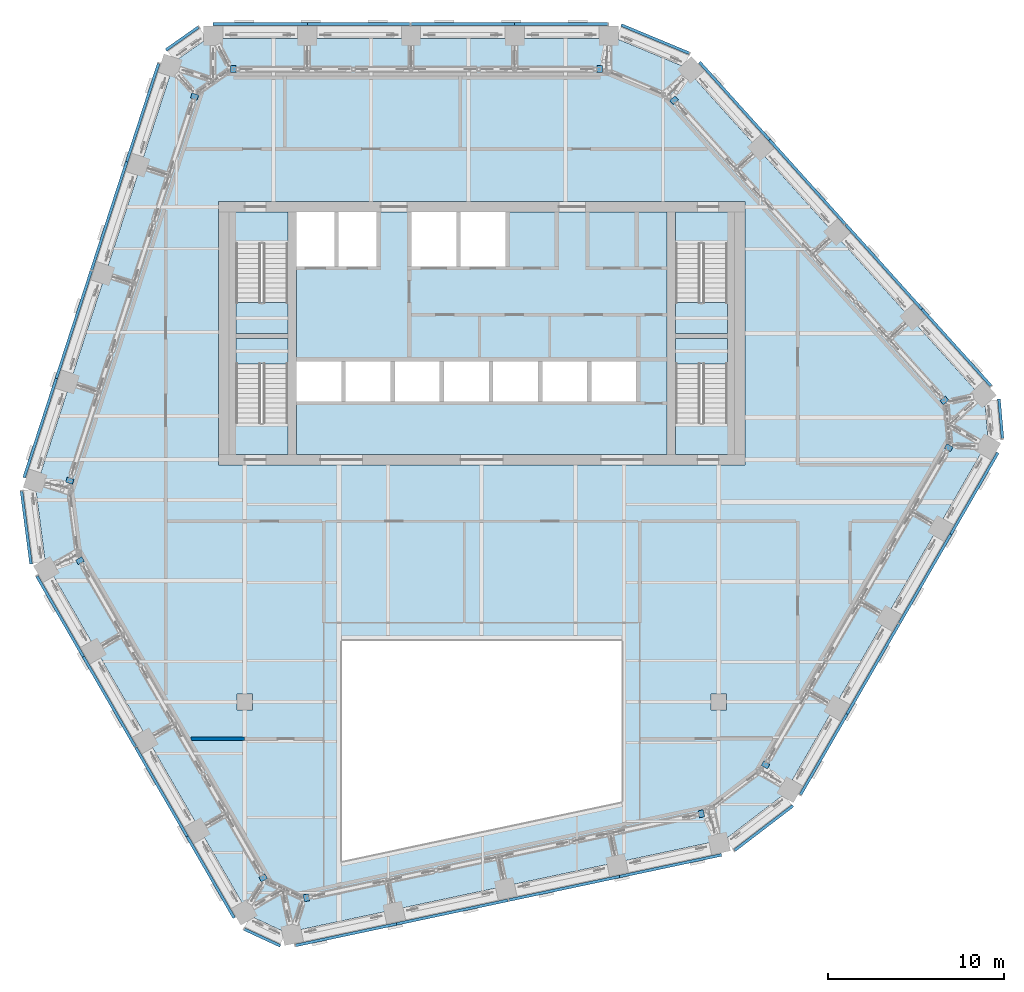
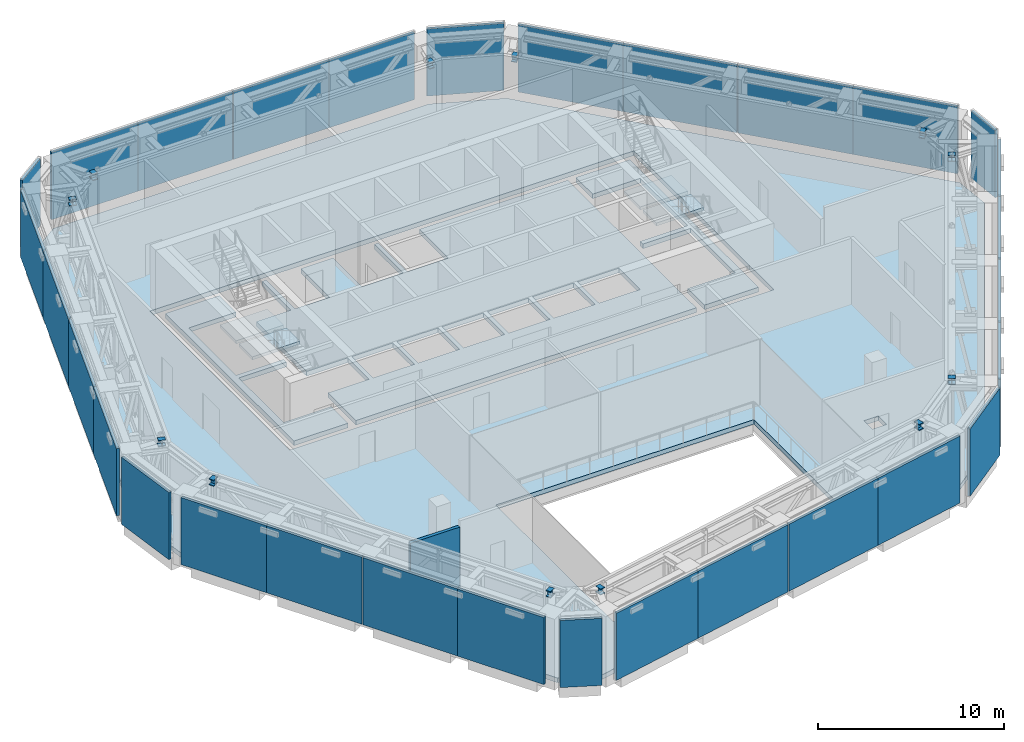
# One storey, part 16 of 25: 30 plates, 12 members, 8 slabs, 1 wall, 16 elements without a shape of their own.
"""IFC4 building model written with IfcOpenShell, lengths in metres."""

import ifcopenshell
import ifcopenshell.guid

model = None  # the IFC model being written
_history = None  # IfcOwnerHistory: only IFC2X3 demands one
_inside = {}  # id of a spatial element -> (the spatial element, [elements in it])
_under = {}  # id of a project, library or spatial element -> (it, [spatial elements below it])
_declared = {}  # id of a project -> (the project, [libraries it declares])
_typed = {}  # id of a type object -> (the type object, [elements of that type])
_made_of = {}  # id of a material, layer set ... -> (it, [elements and type objects made of it])


def new_model(schema):
    """Start an empty IFC model of exactly this schema.

    Asked for "IFC4X3", IfcOpenShell would pick the latest addendum, in which some entities
    have other attributes; the version numbers below select the first issue.
    IFC2X3 requires an IfcOwnerHistory on every rooted entity: one is made here for all.
    """
    global model, _history
    if schema == "IFC4X3":
        model = ifcopenshell.file(schema_version=(4, 3, 0, 0))
    else:
        model = ifcopenshell.file(schema=schema)
    _inside.clear()
    _under.clear()
    _declared.clear()
    _typed.clear()
    _made_of.clear()
    _history = None
    if model.schema == "IFC2X3":
        org = make("IfcOrganization", Name="unknown")
        user = make(
            "IfcPersonAndOrganization",
            ThePerson=make("IfcPerson", FamilyName="unknown"),
            TheOrganization=org,
        )
        app = make(
            "IfcApplication",
            ApplicationDeveloper=org,
            Version="unknown",
            ApplicationFullName="unknown",
            ApplicationIdentifier="unknown",
        )
        _history = make(
            "IfcOwnerHistory",
            OwningUser=user,
            OwningApplication=app,
            ChangeAction="ADDED",
            CreationDate=0,
        )
    return model


def make(cls, **values):
    """One entity of the class cls with the attributes given. An attribute that is None is left unset."""
    return model.create_entity(
        cls, **{name: value for name, value in values.items() if value is not None}
    )


def rooted(cls, **values):
    """An entity with a GlobalId (a new one), such as an element, a storey or a relation."""
    return make(cls, GlobalId=ifcopenshell.guid.new(), OwnerHistory=_history, **values)


def si_unit(unit_type, name, prefix=None):
    """IfcSIUnit, for example si_unit("LENGTHUNIT", "METRE", prefix="MILLI")."""
    return make("IfcSIUnit", UnitType=unit_type, Prefix=prefix, Name=name)


def assignment(units):
    """IfcUnitAssignment: the units of a project."""
    return None if units is None else make("IfcUnitAssignment", Units=units)


def point(xyz):
    """IfcCartesianPoint."""
    return None if xyz is None else make("IfcCartesianPoint", Coordinates=xyz)


def direction(xyz):
    """IfcDirection."""
    return None if xyz is None else make("IfcDirection", DirectionRatios=xyz)


def frame(location, z_axis=None, x_axis=None):
    """IfcAxis2Placement3D, a coordinate frame: its origin and axes. An axis left out is left unset."""
    return make(
        "IfcAxis2Placement3D",
        Location=point(location),
        Axis=direction(z_axis),
        RefDirection=direction(x_axis),
    )


def frame_2d(location, x_axis=None):
    """IfcAxis2Placement2D, a coordinate frame in the plane: its origin and x axis."""
    return make(
        "IfcAxis2Placement2D", Location=point(location), RefDirection=direction(x_axis)
    )


def origin():
    """The frame at (0, 0, 0) with its axes left unset."""
    return frame((0.0, 0.0, 0.0))


def origin_2d():
    """The frame at (0, 0) in the plane with its x axis left unset."""
    return frame_2d((0.0, 0.0))


def place(relative_to, where):
    """IfcLocalPlacement: puts the frame where relative to a parent placement (None: the world)."""
    return make(
        "IfcLocalPlacement", PlacementRelTo=relative_to, RelativePlacement=where
    )


def context(
    kind, dimensions, precision=None, world=None, true_north=None, identifier=None
):
    """IfcGeometricRepresentationContext, for example the 3D "Model" context."""
    return make(
        "IfcGeometricRepresentationContext",
        ContextIdentifier=identifier,
        ContextType=kind,
        CoordinateSpaceDimension=dimensions,
        Precision=precision,
        WorldCoordinateSystem=world,
        TrueNorth=true_north,
    )


def subcontext(parent, identifier, kind, view, scale=None):
    """IfcGeometricRepresentationSubContext, for example "Body" below "Model"."""
    return make(
        "IfcGeometricRepresentationSubContext",
        ContextIdentifier=identifier,
        ContextType=kind,
        ParentContext=parent,
        TargetScale=scale,
        TargetView=view,
    )


def project(units=None, contexts=None):
    """IfcProject with its units and contexts."""
    return rooted(
        "IfcProject",
        Name="project",
        RepresentationContexts=contexts,
        UnitsInContext=assignment(units),
    )


def spatial(cls, under=None, at=None, **own):
    """A site, building, storey or space (cls), placed at a placement, below another one or the project."""
    s = rooted(cls, ObjectPlacement=at, **own)
    if under is not None:
        _under.setdefault(under.id(), (under, []))[1].append(s)
    return s


def polyline(points):
    """IfcPolyline through the points."""
    return make("IfcPolyline", Points=[point(p) for p in points])


def profile(cls, at=None, kind="AREA", **sizes):
    """A parametric profile (cls). Its sizes go by their IFC names, for example OverallWidth=200.0."""
    return make(cls, ProfileType=kind, Position=at, **sizes)


def rectangle(**sizes):
    """IfcRectangleProfileDef."""
    return profile("IfcRectangleProfileDef", **sizes)


def i_section(**sizes):
    """IfcIShapeProfileDef."""
    return profile("IfcIShapeProfileDef", **sizes)


def outline(outer, holes=None, kind="AREA"):
    """IfcArbitraryClosedProfileDef: a profile drawn as a closed curve; with holes, ...WithVoids."""
    if holes is None:
        return make("IfcArbitraryClosedProfileDef", ProfileType=kind, OuterCurve=outer)
    return make(
        "IfcArbitraryProfileDefWithVoids",
        ProfileType=kind,
        OuterCurve=outer,
        InnerCurves=holes,
    )


def extrude(swept, where, along, depth):
    """IfcExtrudedAreaSolid: the profile swept, set in the frame where, extruded along a direction by depth."""
    return make(
        "IfcExtrudedAreaSolid",
        SweptArea=swept,
        Position=where,
        ExtrudedDirection=direction(along),
        Depth=depth,
    )


def shape(context_of_items, identifier, shape_type, items):
    """IfcShapeRepresentation: the items that make up one representation, for example the "Body"."""
    return make(
        "IfcShapeRepresentation",
        ContextOfItems=context_of_items,
        RepresentationIdentifier=identifier,
        RepresentationType=shape_type,
        Items=items,
    )


def material(Name=None, Category=None):
    """IfcMaterial."""
    return make("IfcMaterial", Name=Name, Category=Category)


def layer(
    of_material, thickness, ventilated=None, Name=None, Category=None, Priority=None
):
    """IfcMaterialLayer: one layer of a wall or slab, of a material (None: an air gap)."""
    return make(
        "IfcMaterialLayer",
        Material=of_material,
        LayerThickness=thickness,
        IsVentilated=ventilated,
        Name=Name,
        Category=Category,
        Priority=Priority,
    )


def layer_set(layers, Name=None):
    """IfcMaterialLayerSet."""
    return make("IfcMaterialLayerSet", MaterialLayers=layers, LayerSetName=Name)


def material_profile(
    of_material, cross_section, Name=None, Category=None, Priority=None
):
    """IfcMaterialProfile: a cross section and its material."""
    return make(
        "IfcMaterialProfile",
        Name=Name,
        Material=of_material,
        Profile=cross_section,
        Priority=Priority,
        Category=Category,
    )


def profile_set(profiles, Name=None, composite=None):
    """IfcMaterialProfileSet."""
    return make(
        "IfcMaterialProfileSet",
        Name=Name,
        MaterialProfiles=profiles,
        CompositeProfile=composite,
    )


def made_of(thing, what):
    """Note that an element or type object is made of a material, layer set ...; save() writes the relation."""
    if what is not None:
        _made_of.setdefault(what.id(), (what, []))[1].append(thing)
    return thing


def type_object(cls, material=None, **own):
    """A type object (cls), such as IfcWallType, which elements share."""
    return made_of(rooted(cls, **own), material)


def element(
    cls,
    number,
    at=None,
    inside=None,
    cuts=None,
    type_object=None,
    material=None,
    context=None,
    identifier="Body",
    shape_type=None,
    held_by="IfcProductDefinitionShape",
    body=None,
    shapes=None,
    **own,
):
    """One element of the class cls, such as IfcWall. Its Tag is "e" and its number.

    at: its placement. inside: the storey or other place that contains it. cuts: it is an
    opening in that element (IfcRelVoidsElement). A single representation is given by context,
    identifier, shape_type and body (its items); several are given by shapes. held_by: the class
    of the entity that holds the representations. save() writes the other relations.
    """
    e = rooted(cls, Tag="e%d" % number, ObjectPlacement=at, **own)
    if body is not None:
        shapes = [shape(context, identifier, shape_type, body)]
    if shapes is not None:
        e.Representation = make(held_by, Representations=shapes)
    if inside is not None:
        _inside.setdefault(inside.id(), (inside, []))[1].append(e)
    if cuts is not None:
        rooted(
            "IfcRelVoidsElement", RelatingBuildingElement=cuts, RelatedOpeningElement=e
        )
    if type_object is not None:
        _typed.setdefault(type_object.id(), (type_object, []))[1].append(e)
    return made_of(e, material)


def aggregate(whole, parts):
    """IfcRelAggregates: a whole, such as a stair, and the parts it consists of."""
    return rooted("IfcRelAggregates", RelatingObject=whole, RelatedObjects=parts)


def save(model, path):
    """Write the relations noted so far, then the file.

    IfcRelAggregates (storeys below a building ...), IfcRelContainedInSpatialStructure (elements
    in a storey), IfcRelDefinesByType, IfcRelAssociatesMaterial and IfcRelDeclares: one each for
    every whole, place, type object, material and project.
    """
    for whole, parts in _under.values():
        aggregate(whole, parts)
    for where, things in _inside.values():
        rooted(
            "IfcRelContainedInSpatialStructure",
            RelatedElements=things,
            RelatingStructure=where,
        )
    for kind, things in _typed.values():
        rooted("IfcRelDefinesByType", RelatedObjects=things, RelatingType=kind)
    for what, things in _made_of.values():
        rooted("IfcRelAssociatesMaterial", RelatedObjects=things, RelatingMaterial=what)
    for by, libraries in _declared.values():
        rooted("IfcRelDeclares", RelatingContext=by, RelatedDefinitions=libraries)
    model.write(path)


model = new_model("IFC4")

# Units and contexts
model_context = context("Model", 3, precision=1e-05, world=origin(), true_north=direction((0.0, 1.0)))
body_context = subcontext(model_context, "Body", "Model", "MODEL_VIEW")
ifc_project = project(units=[si_unit("LENGTHUNIT", "METRE"), si_unit("AREAUNIT", "SQUARE_METRE"), si_unit("VOLUMEUNIT", "CUBIC_METRE"), si_unit("PLANEANGLEUNIT", "RADIAN"), si_unit("MASSUNIT", "GRAM", prefix="KILO")], contexts=[model_context])

# Site, building, storey
site_placement = place(None, origin())
site = spatial("IfcSite", under=ifc_project, at=site_placement, CompositionType="ELEMENT")
building_placement = place(site_placement, origin())
building = spatial("IfcBuilding", under=site, at=building_placement, Name="Isthmus Gate Tower", CompositionType="ELEMENT")
storey_placement = place(building_placement, frame((0.0, 0.0, 256.449951171875)))
storey = spatial("IfcBuildingStorey", under=building, at=storey_placement, Name="L65", CompositionType="ELEMENT", Elevation=256.449951171875)

# Members
ifc_material_1 = material(Name="Structural steel ASTM A913 Gr 65", Category="steel")
ifc_material_profile = material_profile(ifc_material_1, i_section(OverallWidth=0.4033203125, OverallDepth=0.406494140625, WebThickness=0.027099609375, FlangeThickness=0.04443359375, at=origin_2d()), Name="W14X233")
ifc_profile_set = profile_set([ifc_material_profile], Name="Structural steel ASTM A913 Gr 65")
member_type = type_object("IfcMemberType", Name="TRANSFER TRUSS CHORD W14X233", PredefinedType="CHORD", material=ifc_profile_set)
member_1_placement = place(storey_placement, frame((10.856201171875, 20.892333984375, 4.046875), z_axis=(0.668919550825, -0.743334806479, 0.0), x_axis=(0.743334806479, 0.668919550825, 0.0)))
element("IfcMember", 1, at=member_1_placement, inside=storey, type_object=member_type, Name="str-ring01-L65-14", PredefinedType="CHORD", context=body_context, shape_type="SweptSolid", body=[
    extrude(i_section(OverallWidth=0.4033203125, OverallDepth=0.406494140625, WebThickness=0.027099609375, FlangeThickness=0.04443359375, at=origin_2d()), origin(), (0.0, 0.0, 1.0), 0.298583984375),
])
for number, where, z_axis, x_axis, name in (
    (2, (26.260009765625, 3.78466796875, 4.046875), (0.669326308712, -0.742968567617, 0.0), (0.742968567617, 0.669326308712, 0.0), "str-ring01-L65-18"),
    (3, (26.6796875, 1.110595703125, 4.046875), (-0.50010031251, -0.865967480583, 0.0), (0.865967480583, -0.50010031251, 0.0), "str-ring03-L65-14"),
):
    element("IfcMember", number, at=place(storey_placement, frame(where, z_axis=z_axis, x_axis=x_axis)), inside=storey, type_object=member_type, Name=name, PredefinedType="CHORD", context=body_context, shape_type="SweptSolid", body=[
        extrude(i_section(OverallWidth=0.4033203125, OverallDepth=0.406494140625, WebThickness=0.027099609375, FlangeThickness=0.04443359375, at=origin_2d()), origin(), (0.0, 0.0, 1.0), 0.29833984375),
    ])
member_2_placement = place(storey_placement, frame((16.243408203125, -16.965576171875, 4.046875), z_axis=(-0.500005339912, -0.866022320763, 0.0), x_axis=(0.866022320763, -0.500005339912, 0.0)))
element("IfcMember", 4, at=member_2_placement, inside=storey, type_object=member_type, Name="str-ring03-L65-18", PredefinedType="CHORD", context=body_context, shape_type="SweptSolid", body=[
    extrude(i_section(OverallWidth=0.4033203125, OverallDepth=0.406494140625, WebThickness=0.027099609375, FlangeThickness=0.04443359375, at=origin_2d()), origin(), (0.0, 0.0, 1.0), 0.298828125),
])
member_3_placement = place(storey_placement, frame((12.6650390625, -19.847900390625, 4.046875), z_axis=(-0.978148448226, -0.20790770364, 0.0), x_axis=(0.20790770364, -0.978148448226, 0.0)))
element("IfcMember", 5, at=member_3_placement, inside=storey, type_object=member_type, Name="str-ring05-L65-14", PredefinedType="CHORD", context=body_context, shape_type="SweptSolid", body=[
    extrude(i_section(OverallWidth=0.4033203125, OverallDepth=0.406494140625, WebThickness=0.027099609375, FlangeThickness=0.04443359375, at=origin_2d()), origin(), (0.0, 0.0, 1.0), 0.29833984375),
])
for number, where, z_axis, x_axis, name in (
    (6, (-9.852294921875, -24.634033203125, 4.046875), (-0.978183787424, -0.207741372915, 0.0), (0.207741372915, -0.978183787424, 0.0), "str-ring05-L65-18"),
    (7, (-12.3779296875, -23.66064453125, 4.046875), (-0.500359323436, 0.865817848887, 0.0), (-0.865817848887, -0.500359323436, 0.0), "str-ring07-L65-14"),
):
    element("IfcMember", number, at=place(storey_placement, frame(where, z_axis=z_axis, x_axis=x_axis)), inside=storey, type_object=member_type, Name=name, PredefinedType="CHORD", context=body_context, shape_type="SweptSolid", body=[
        extrude(i_section(OverallWidth=0.4033203125, OverallDepth=0.406494140625, WebThickness=0.027099609375, FlangeThickness=0.04443359375, at=origin_2d()), origin(), (0.0, 0.0, 1.0), 0.298583984375),
    ])
member_4_placement = place(storey_placement, frame((-22.814208984375, -5.58447265625, 4.046875), z_axis=(-0.500005339912, 0.866022320763, 0.0), x_axis=(-0.866022320763, -0.500005339912, 0.0)))
element("IfcMember", 8, at=member_4_placement, inside=storey, type_object=member_type, Name="str-ring07-L65-18", PredefinedType="CHORD", context=body_context, shape_type="SweptSolid", body=[
    extrude(i_section(OverallWidth=0.4033203125, OverallDepth=0.406494140625, WebThickness=0.027099609375, FlangeThickness=0.04443359375, at=origin_2d()), origin(), (0.0, 0.0, 1.0), 0.298828125),
])
member_5_placement = place(storey_placement, frame((-23.521240234375, -1.04443359375, 4.046875), z_axis=(0.308364676618, 0.951268219912, 0.0), x_axis=(-0.951268219912, 0.308364676618, 0.0)))
element("IfcMember", 9, at=member_5_placement, inside=storey, type_object=member_type, Name="str-ring09-L65-14", PredefinedType="CHORD", context=body_context, shape_type="SweptSolid", body=[
    extrude(i_section(OverallWidth=0.4033203125, OverallDepth=0.406494140625, WebThickness=0.027099609375, FlangeThickness=0.04443359375, at=origin_2d()), origin(), (0.0, 0.0, 1.0), 0.298583984375),
])
for number, where, z_axis, x_axis, name in (
    (10, (-16.407470703125, 20.849609375, 4.046875), (0.308604787118, 0.951190351806, 0.0), (-0.951190351806, 0.308604787118, 0.0), "str-ring09-L65-18"),
    (11, (-14.3017578125, 22.550048828125, 4.046875), (1.0, 0.0, 0.0), (0.0, 1.0, 0.0), "str-ring11-L65-14"),
):
    element("IfcMember", number, at=place(storey_placement, frame(where, z_axis=z_axis, x_axis=x_axis)), inside=storey, type_object=member_type, Name=name, PredefinedType="CHORD", context=body_context, shape_type="SweptSolid", body=[
        extrude(i_section(OverallWidth=0.4033203125, OverallDepth=0.406494140625, WebThickness=0.027099609375, FlangeThickness=0.04443359375, at=origin_2d()), origin(), (0.0, 0.0, 1.0), 0.29833984375),
    ])
member_6_placement = place(storey_placement, frame((6.57080078125, 22.550048828125, 4.046875), z_axis=(1.0, 0.0, 0.0), x_axis=(0.0, 1.0, 0.0)))
element("IfcMember", 12, at=member_6_placement, inside=storey, type_object=member_type, Name="str-ring11-L65-18", PredefinedType="CHORD", context=body_context, shape_type="SweptSolid", body=[
    extrude(i_section(OverallWidth=0.4033203125, OverallDepth=0.406494140625, WebThickness=0.027099609375, FlangeThickness=0.04443359375, at=origin_2d()), origin(), (0.0, 0.0, 1.0), 0.298828125),
])

# Slabs
ifc_material_2 = material(Name="Concrete f'c 40 MPa", Category="concrete")
ifc_layer_1 = layer(ifc_material_2, 0.300048828125)
ifc_layer_set_1 = layer_set([ifc_layer_1], Name="CORE FLOOR SLAB 300")
slab_type_1 = type_object("IfcSlabType", Name="CORE FLOOR SLAB 300", PredefinedType="FLOOR", material=ifc_layer_set_1)
slab_1_placement = place(storey_placement, frame((0.0, 0.0, -0.300048828125)))
element("IfcSlab", 13, at=slab_1_placement, inside=storey, type_object=slab_type_1, Name="L65 core floor", PredefinedType="FLOOR", context=body_context, shape_type="SweptSolid", body=[
    extrude(outline(polyline([(-11.050048828125, 0.60009765625), (-11.050048828125, 2.402099609375), (-14.0, 2.402099609375), (-14.0, 7.199951171875), (-11.050048828125, 7.199951171875), (-11.050048828125, 7.5), (-14.0, 7.5), (-14.0, 12.597900390625), (-11.050048828125, 12.597900390625), (-11.050048828125, 14.39990234375), (-14.39990234375, 14.39990234375), (-14.39990234375, 0.60009765625), (-11.050048828125, 0.60009765625)])), origin(), (0.0, 0.0, 1.0), 0.300048828125),
])
slab_2_placement = place(storey_placement, frame((0.0, 0.0, -0.300048828125)))
element("IfcSlab", 14, at=slab_2_placement, inside=storey, type_object=slab_type_1, Name="L65 core floor", PredefinedType="FLOOR", context=body_context, shape_type="SweptSolid", body=[
    extrude(outline(polyline([(10.550048828125, 14.39990234375), (1.35009765625, 14.39990234375), (1.35009765625, 11.300048828125), (-1.199951171875, 11.300048828125), (-1.199951171875, 14.39990234375), (-1.449951171875, 14.39990234375), (-1.449951171875, 11.300048828125), (-4.0, 11.300048828125), (-4.0, 14.39990234375), (-6.0, 14.39990234375), (-6.0, 11.300048828125), (-8.14990234375, 11.300048828125), (-8.14990234375, 14.39990234375), (-8.39990234375, 14.39990234375), (-8.39990234375, 11.300048828125), (-10.550048828125, 11.300048828125), (-10.550048828125, 5.89990234375), (-8.0, 5.89990234375), (-8.0, 3.60009765625), (-10.550048828125, 3.60009765625), (-10.550048828125, 0.60009765625), (10.550048828125, 0.60009765625), (10.550048828125, 14.39990234375)]), holes=[polyline([(-5.199951171875, 5.89990234375), (-5.199951171875, 3.60009765625), (-7.75, 3.60009765625), (-7.75, 5.89990234375), (-5.199951171875, 5.89990234375)]), polyline([(-2.39990234375, 5.89990234375), (-2.39990234375, 3.60009765625), (-4.949951171875, 3.60009765625), (-4.949951171875, 5.89990234375), (-2.39990234375, 5.89990234375)]), polyline([(0.39990234375, 5.89990234375), (0.39990234375, 3.60009765625), (-2.14990234375, 3.60009765625), (-2.14990234375, 5.89990234375), (0.39990234375, 5.89990234375)]), polyline([(3.199951171875, 5.89990234375), (3.199951171875, 3.60009765625), (0.64990234375, 3.60009765625), (0.64990234375, 5.89990234375), (3.199951171875, 5.89990234375)]), polyline([(6.0, 5.89990234375), (6.0, 3.60009765625), (3.449951171875, 3.60009765625), (3.449951171875, 5.89990234375), (6.0, 5.89990234375)]), polyline([(8.800048828125, 5.89990234375), (8.800048828125, 3.60009765625), (6.25, 3.60009765625), (6.25, 5.89990234375), (8.800048828125, 5.89990234375)])]), origin(), (0.0, 0.0, 1.0), 0.300048828125),
])
slab_3_placement = place(storey_placement, frame((0.0, 0.0, -0.300048828125)))
element("IfcSlab", 15, at=slab_3_placement, inside=storey, type_object=slab_type_1, Name="L65 core floor", PredefinedType="FLOOR", context=body_context, shape_type="SweptSolid", body=[
    extrude(outline(polyline([(11.050048828125, 14.39990234375), (11.050048828125, 12.597900390625), (14.0, 12.597900390625), (14.0, 7.5), (11.050048828125, 7.5), (11.050048828125, 7.199951171875), (14.0, 7.199951171875), (14.0, 2.402099609375), (11.050048828125, 2.402099609375), (11.050048828125, 0.60009765625), (14.39990234375, 0.60009765625), (14.39990234375, 14.39990234375), (11.050048828125, 14.39990234375)])), origin(), (0.0, 0.0, 1.0), 0.300048828125),
])

# Curtain wall, plates
ifc_material_3 = material(Name="Aluminium, pale champagne anodised", Category="aluminium")
ifc_layer_2 = layer(ifc_material_3, 0.199951171875)
ifc_layer_set_2 = layer_set([ifc_layer_2], Name="CW-2 LOUVRE CURTAIN WALL 200 DEEP")
curtain_wall_type = type_object("IfcCurtainWallType", Name="CW-2 LOUVRE CURTAIN WALL 200 DEEP", PredefinedType="NOTDEFINED", material=ifc_layer_set_2)
curtain_wall_1_placement = place(storey_placement, origin())
curtain_wall_1 = element("IfcCurtainWall", 16, at=curtain_wall_1_placement, inside=storey, type_object=curtain_wall_type, Name="CW-2 N L65", PredefinedType="NOTDEFINED")
ifc_material_4 = material(Name="Aluminium louvre blades, pale champagne anodised", Category="aluminium")
ifc_layer_3 = layer(ifc_material_4, 0.159912109375)
ifc_layer_set_3 = layer_set([ifc_layer_3], Name="CW-2 LOUVRE PANEL 160")
plate_type = type_object("IfcPlateType", Name="CW-2 LOUVRE PANEL 160", PredefinedType="CURTAIN_PANEL", material=ifc_layer_set_3)
plate_1_placement = place(storey_placement, frame((4.53076171875, 25.1201171875, 0.0), z_axis=(0.0, 0.0, 1.0), x_axis=(-1.0, 0.0, 0.0)))
plate_1 = element("IfcPlate", 17, at=plate_1_placement, type_object=plate_type, Name="CW-2 louvre panel", PredefinedType="CURTAIN_PANEL", context=body_context, shape_type="SweptSolid", body=[
    extrude(rectangle(XDim=5.300537109375, YDim=0.159912109375, at=origin_2d()), origin(), (0.0, 0.0, 1.0), 4.39990234375),
])
plate_2_placement = place(storey_placement, frame((-1.07470703125, 25.1201171875, 0.0), z_axis=(0.0, 0.0, 1.0), x_axis=(-1.0, 0.0, 0.0)))
plate_2 = element("IfcPlate", 18, at=plate_2_placement, type_object=plate_type, Name="CW-2 louvre panel", PredefinedType="CURTAIN_PANEL", context=body_context, shape_type="SweptSolid", body=[
    extrude(rectangle(XDim=5.91064453125, YDim=0.159912109375, at=origin_2d()), origin(), (0.0, 0.0, 1.0), 4.39990234375),
])
plate_3_placement = place(storey_placement, frame((-7.015380859375, 25.1201171875, 0.0), z_axis=(0.0, 0.0, 1.0), x_axis=(-1.0, 0.0, 0.0)))
plate_3 = element("IfcPlate", 19, at=plate_3_placement, type_object=plate_type, Name="CW-2 louvre panel", PredefinedType="CURTAIN_PANEL", context=body_context, shape_type="SweptSolid", body=[
    extrude(rectangle(XDim=5.8505859375, YDim=0.159912109375, at=origin_2d()), origin(), (0.0, 0.0, 1.0), 4.39990234375),
])
plate_4_placement = place(storey_placement, frame((-12.62109375, 25.1201171875, 0.0), z_axis=(0.0, 0.0, 1.0), x_axis=(-1.0, 0.0, 0.0)))
plate_4 = element("IfcPlate", 20, at=plate_4_placement, type_object=plate_type, Name="CW-2 louvre panel", PredefinedType="CURTAIN_PANEL", context=body_context, shape_type="SweptSolid", body=[
    extrude(rectangle(XDim=5.360595703125, YDim=0.159912109375, at=origin_2d()), origin(), (0.0, 0.0, 1.0), 4.39990234375),
])
aggregate(curtain_wall_1, [plate_1, plate_2, plate_3, plate_4])

# Curtain wall, plate
curtain_wall_2_placement = place(storey_placement, origin())
curtain_wall_2 = element("IfcCurtainWall", 21, at=curtain_wall_2_placement, inside=storey, type_object=curtain_wall_type, Name="CW-2 N-NW L65", PredefinedType="NOTDEFINED")
plate_5_placement = place(storey_placement, frame((-17.065673828125, 24.29248046875, 0.0), z_axis=(0.0, 0.0, 1.0), x_axis=(-0.81785959165, -0.57541783805, 0.0)))
plate_5 = element("IfcPlate", 22, at=plate_5_placement, type_object=plate_type, Name="CW-2 louvre panel", PredefinedType="CURTAIN_PANEL", context=body_context, shape_type="SweptSolid", body=[
    extrude(rectangle(XDim=2.258544921875, YDim=0.159912109375, at=origin_2d()), origin(), (0.0, 0.0, 1.0), 4.39990234375),
])
aggregate(curtain_wall_2, [plate_5])

# Curtain wall, plates
curtain_wall_3_placement = place(storey_placement, origin())
curtain_wall_3 = element("IfcCurtainWall", 23, at=curtain_wall_3_placement, inside=storey, type_object=curtain_wall_type, Name="CW-2 NW L65", PredefinedType="NOTDEFINED")
plate_6_placement = place(storey_placement, frame((-19.315673828125, 20.074951171875, 0.0), z_axis=(0.0, 0.0, 1.0), x_axis=(-0.309016994375, -0.951056516295, 0.0)))
plate_6 = element("IfcPlate", 24, at=plate_6_placement, type_object=plate_type, Name="CW-2 louvre panel", PredefinedType="CURTAIN_PANEL", context=body_context, shape_type="SweptSolid", body=[
    extrude(rectangle(XDim=5.8818359375, YDim=0.159912109375, at=origin_2d()), origin(), (0.0, 0.0, 1.0), 4.39990234375),
])
plate_7_placement = place(storey_placement, frame((-21.2275390625, 14.19091796875, 0.0), z_axis=(0.0, 0.0, 1.0), x_axis=(-0.309016994375, -0.951056516295, 0.0)))
plate_7 = element("IfcPlate", 25, at=plate_7_placement, type_object=plate_type, Name="CW-2 louvre panel", PredefinedType="CURTAIN_PANEL", context=body_context, shape_type="SweptSolid", body=[
    extrude(rectangle(XDim=6.491943359375, YDim=0.159912109375, at=origin_2d()), origin(), (0.0, 0.0, 1.0), 4.39990234375),
])
plate_8_placement = place(storey_placement, frame((-23.242919921875, 7.988037109375, 0.0), z_axis=(0.0, 0.0, 1.0), x_axis=(-0.309016994375, -0.951056516295, 0.0)))
plate_8 = element("IfcPlate", 26, at=plate_8_placement, type_object=plate_type, Name="CW-2 louvre panel", PredefinedType="CURTAIN_PANEL", context=body_context, shape_type="SweptSolid", body=[
    extrude(rectangle(XDim=6.431884765625, YDim=0.159912109375, at=origin_2d()), origin(), (0.0, 0.0, 1.0), 4.39990234375),
])
plate_9_placement = place(storey_placement, frame((-25.154541015625, 2.10400390625, 0.0), z_axis=(0.0, 0.0, 1.0), x_axis=(-0.309016994375, -0.951056516295, 0.0)))
plate_9 = element("IfcPlate", 27, at=plate_9_placement, type_object=plate_type, Name="CW-2 louvre panel", PredefinedType="CURTAIN_PANEL", context=body_context, shape_type="SweptSolid", body=[
    extrude(rectangle(XDim=5.94189453125, YDim=0.159912109375, at=origin_2d()), origin(), (0.0, 0.0, 1.0), 4.39990234375),
])
aggregate(curtain_wall_3, [plate_6, plate_7, plate_8, plate_9])

# Curtain wall, plate
curtain_wall_4_placement = place(storey_placement, origin())
curtain_wall_4 = element("IfcCurtainWall", 28, at=curtain_wall_4_placement, inside=storey, type_object=curtain_wall_type, Name="CW-2 NW-SW L65", PredefinedType="NOTDEFINED")
plate_10_placement = place(storey_placement, frame((-25.951416015625, -3.5712890625, 0.0), z_axis=(0.0, 0.0, 1.0), x_axis=(0.129164534, -0.991623175988, 0.0)))
plate_10 = element("IfcPlate", 29, at=plate_10_placement, type_object=plate_type, Name="CW-2 louvre panel", PredefinedType="CURTAIN_PANEL", context=body_context, shape_type="SweptSolid", body=[
    extrude(rectangle(XDim=4.181396484375, YDim=0.159912109375, at=origin_2d()), origin(), (0.0, 0.0, 1.0), 4.39990234375),
])
aggregate(curtain_wall_4, [plate_10])

# Curtain wall, plates
curtain_wall_5_placement = place(storey_placement, origin())
curtain_wall_5 = element("IfcCurtainWall", 30, at=curtain_wall_5_placement, inside=storey, type_object=curtain_wall_type, Name="CW-2 SW L65", PredefinedType="NOTDEFINED")
plate_11_placement = place(storey_placement, frame((-24.02001953125, -8.63623046875, 0.0), z_axis=(0.0, 0.0, 1.0), x_axis=(0.5, -0.866025403784, 0.0)))
plate_11 = element("IfcPlate", 31, at=plate_11_placement, type_object=plate_type, Name="CW-2 louvre panel", PredefinedType="CURTAIN_PANEL", context=body_context, shape_type="SweptSolid", body=[
    extrude(rectangle(XDim=5.300537109375, YDim=0.159912109375, at=origin_2d()), origin(), (0.0, 0.0, 1.0), 4.39990234375),
])
plate_12_placement = place(storey_placement, frame((-21.217041015625, -13.49072265625, 0.0), z_axis=(0.0, 0.0, 1.0), x_axis=(0.5, -0.866025403784, 0.0)))
plate_12 = element("IfcPlate", 32, at=plate_12_placement, type_object=plate_type, Name="CW-2 louvre panel", PredefinedType="CURTAIN_PANEL", context=body_context, shape_type="SweptSolid", body=[
    extrude(rectangle(XDim=5.91064453125, YDim=0.159912109375, at=origin_2d()), origin(), (0.0, 0.0, 1.0), 4.39990234375),
])
plate_13_placement = place(storey_placement, frame((-18.246826171875, -18.635498046875, 0.0), z_axis=(0.0, 0.0, 1.0), x_axis=(0.5, -0.866025403784, 0.0)))
plate_13 = element("IfcPlate", 33, at=plate_13_placement, type_object=plate_type, Name="CW-2 louvre panel", PredefinedType="CURTAIN_PANEL", context=body_context, shape_type="SweptSolid", body=[
    extrude(rectangle(XDim=5.8505859375, YDim=0.159912109375, at=origin_2d()), origin(), (0.0, 0.0, 1.0), 4.39990234375),
])
plate_14_placement = place(storey_placement, frame((-15.444091796875, -23.489990234375, 0.0), z_axis=(0.0, 0.0, 1.0), x_axis=(0.5, -0.866025403784, 0.0)))
plate_14 = element("IfcPlate", 34, at=plate_14_placement, type_object=plate_type, Name="CW-2 louvre panel", PredefinedType="CURTAIN_PANEL", context=body_context, shape_type="SweptSolid", body=[
    extrude(rectangle(XDim=5.360595703125, YDim=0.159912109375, at=origin_2d()), origin(), (0.0, 0.0, 1.0), 4.39990234375),
])
aggregate(curtain_wall_5, [plate_11, plate_12, plate_13, plate_14])

# Curtain wall, plate
curtain_wall_6_placement = place(storey_placement, origin())
curtain_wall_6 = element("IfcCurtainWall", 35, at=curtain_wall_6_placement, inside=storey, type_object=curtain_wall_type, Name="CW-2 SW-S L65", PredefinedType="NOTDEFINED")
plate_15_placement = place(storey_placement, frame((-12.505126953125, -26.925537109375, 0.0), z_axis=(0.0, 0.0, 1.0), x_axis=(0.907256261367, -0.420578264073, 0.0)))
plate_15 = element("IfcPlate", 36, at=plate_15_placement, type_object=plate_type, Name="CW-2 louvre panel", PredefinedType="CURTAIN_PANEL", context=body_context, shape_type="SweptSolid", body=[
    extrude(rectangle(XDim=2.258544921875, YDim=0.159912109375, at=origin_2d()), origin(), (0.0, 0.0, 1.0), 4.39990234375),
])
aggregate(curtain_wall_6, [plate_15])

# Curtain wall, plates
curtain_wall_7_placement = place(storey_placement, origin())
curtain_wall_7 = element("IfcCurtainWall", 37, at=curtain_wall_7_placement, inside=storey, type_object=curtain_wall_type, Name="CW-2 S L65", PredefinedType="NOTDEFINED")
plate_16_placement = place(storey_placement, frame((-7.7275390625, -26.76513671875, 0.0), z_axis=(0.0, 0.0, 1.0), x_axis=(0.978147600734, 0.207911690818, 0.0)))
plate_16 = element("IfcPlate", 38, at=plate_16_placement, type_object=plate_type, Name="CW-2 louvre panel", PredefinedType="CURTAIN_PANEL", context=body_context, shape_type="SweptSolid", body=[
    extrude(rectangle(XDim=5.8818359375, YDim=0.159912109375, at=origin_2d()), origin(), (0.0, 0.0, 1.0), 4.39990234375),
])
plate_17_placement = place(storey_placement, frame((-1.67578125, -25.47900390625, 0.0), z_axis=(0.0, 0.0, 1.0), x_axis=(0.978147600734, 0.207911690818, 0.0)))
plate_17 = element("IfcPlate", 39, at=plate_17_placement, type_object=plate_type, Name="CW-2 louvre panel", PredefinedType="CURTAIN_PANEL", context=body_context, shape_type="SweptSolid", body=[
    extrude(rectangle(XDim=6.491943359375, YDim=0.159912109375, at=origin_2d()), origin(), (0.0, 0.0, 1.0), 4.39990234375),
])
plate_18_placement = place(storey_placement, frame((4.703369140625, -24.123046875, 0.0), z_axis=(0.0, 0.0, 1.0), x_axis=(0.978147600734, 0.207911690818, 0.0)))
plate_18 = element("IfcPlate", 40, at=plate_18_placement, type_object=plate_type, Name="CW-2 louvre panel", PredefinedType="CURTAIN_PANEL", context=body_context, shape_type="SweptSolid", body=[
    extrude(rectangle(XDim=6.431884765625, YDim=0.159912109375, at=origin_2d()), origin(), (0.0, 0.0, 1.0), 4.39990234375),
])
plate_19_placement = place(storey_placement, frame((10.755126953125, -22.836669921875, 0.0), z_axis=(0.0, 0.0, 1.0), x_axis=(0.978147600734, 0.207911690818, 0.0)))
plate_19 = element("IfcPlate", 41, at=plate_19_placement, type_object=plate_type, Name="CW-2 louvre panel", PredefinedType="CURTAIN_PANEL", context=body_context, shape_type="SweptSolid", body=[
    extrude(rectangle(XDim=5.94189453125, YDim=0.159912109375, at=origin_2d()), origin(), (0.0, 0.0, 1.0), 4.39990234375),
])
aggregate(curtain_wall_7, [plate_16, plate_17, plate_18, plate_19])

# Curtain wall, plate
curtain_wall_8_placement = place(storey_placement, origin())
curtain_wall_8 = element("IfcCurtainWall", 42, at=curtain_wall_8_placement, inside=storey, type_object=curtain_wall_type, Name="CW-2 S-SE L65", PredefinedType="NOTDEFINED")
plate_20_placement = place(storey_placement, frame((16.068603515625, -20.68896484375, 0.0), z_axis=(0.0, 0.0, 1.0), x_axis=(0.794188594387, 0.607671355706, 0.0)))
plate_20 = element("IfcPlate", 43, at=plate_20_placement, type_object=plate_type, Name="CW-2 louvre panel", PredefinedType="CURTAIN_PANEL", context=body_context, shape_type="SweptSolid", body=[
    extrude(rectangle(XDim=4.181396484375, YDim=0.159912109375, at=origin_2d()), origin(), (0.0, 0.0, 1.0), 4.39990234375),
])
aggregate(curtain_wall_8, [plate_20])

# Curtain wall, plates
curtain_wall_9_placement = place(storey_placement, origin())
curtain_wall_9 = element("IfcCurtainWall", 44, at=curtain_wall_9_placement, inside=storey, type_object=curtain_wall_type, Name="CW-2 SE L65", PredefinedType="NOTDEFINED")
plate_21_placement = place(storey_placement, frame((19.4892578125, -16.48388671875, 0.0), z_axis=(0.0, 0.0, 1.0), x_axis=(0.5, 0.866025403784, 0.0)))
plate_21 = element("IfcPlate", 45, at=plate_21_placement, type_object=plate_type, Name="CW-2 louvre panel", PredefinedType="CURTAIN_PANEL", context=body_context, shape_type="SweptSolid", body=[
    extrude(rectangle(XDim=5.300537109375, YDim=0.159912109375, at=origin_2d()), origin(), (0.0, 0.0, 1.0), 4.39990234375),
])
plate_22_placement = place(storey_placement, frame((22.2919921875, -11.629150390625, 0.0), z_axis=(0.0, 0.0, 1.0), x_axis=(0.5, 0.866025403784, 0.0)))
plate_22 = element("IfcPlate", 46, at=plate_22_placement, type_object=plate_type, Name="CW-2 louvre panel", PredefinedType="CURTAIN_PANEL", context=body_context, shape_type="SweptSolid", body=[
    extrude(rectangle(XDim=5.91064453125, YDim=0.159912109375, at=origin_2d()), origin(), (0.0, 0.0, 1.0), 4.39990234375),
])
plate_23_placement = place(storey_placement, frame((25.26220703125, -6.484619140625, 0.0), z_axis=(0.0, 0.0, 1.0), x_axis=(0.5, 0.866025403784, 0.0)))
plate_23 = element("IfcPlate", 47, at=plate_23_placement, type_object=plate_type, Name="CW-2 louvre panel", PredefinedType="CURTAIN_PANEL", context=body_context, shape_type="SweptSolid", body=[
    extrude(rectangle(XDim=5.8505859375, YDim=0.159912109375, at=origin_2d()), origin(), (0.0, 0.0, 1.0), 4.39990234375),
])
plate_24_placement = place(storey_placement, frame((28.06494140625, -1.6298828125, 0.0), z_axis=(0.0, 0.0, 1.0), x_axis=(0.5, 0.866025403784, 0.0)))
plate_24 = element("IfcPlate", 48, at=plate_24_placement, type_object=plate_type, Name="CW-2 louvre panel", PredefinedType="CURTAIN_PANEL", context=body_context, shape_type="SweptSolid", body=[
    extrude(rectangle(XDim=5.360595703125, YDim=0.159912109375, at=origin_2d()), origin(), (0.0, 0.0, 1.0), 4.39990234375),
])
aggregate(curtain_wall_9, [plate_21, plate_22, plate_23, plate_24])

# Curtain wall, plate
curtain_wall_10_placement = place(storey_placement, origin())
curtain_wall_10 = element("IfcCurtainWall", 49, at=curtain_wall_10_placement, inside=storey, type_object=curtain_wall_type, Name="CW-2 SE-NE L65", PredefinedType="NOTDEFINED")
plate_25_placement = place(storey_placement, frame((29.570556640625, 2.633056640625, 0.0), z_axis=(0.0, 0.0, 1.0), x_axis=(-0.089396669717, 0.995996102123, 0.0)))
plate_25 = element("IfcPlate", 50, at=plate_25_placement, type_object=plate_type, Name="CW-2 louvre panel", PredefinedType="CURTAIN_PANEL", context=body_context, shape_type="SweptSolid", body=[
    extrude(rectangle(XDim=2.258544921875, YDim=0.159912109375, at=origin_2d()), origin(), (0.0, 0.0, 1.0), 4.39990234375),
])
aggregate(curtain_wall_10, [plate_25])

# Curtain wall, plates
curtain_wall_11_placement = place(storey_placement, origin())
curtain_wall_11 = element("IfcCurtainWall", 51, at=curtain_wall_11_placement, inside=storey, type_object=curtain_wall_type, Name="CW-2 NE L65", PredefinedType="NOTDEFINED")
plate_26_placement = place(storey_placement, frame((27.043212890625, 6.6904296875, 0.0), z_axis=(0.0, 0.0, 1.0), x_axis=(-0.669130606359, 0.743144825477, 0.0)))
plate_26 = element("IfcPlate", 52, at=plate_26_placement, type_object=plate_type, Name="CW-2 louvre panel", PredefinedType="CURTAIN_PANEL", context=body_context, shape_type="SweptSolid", body=[
    extrude(rectangle(XDim=5.8818359375, YDim=0.159912109375, at=origin_2d()), origin(), (0.0, 0.0, 1.0), 4.39990234375),
])
plate_27_placement = place(storey_placement, frame((22.9033203125, 11.2880859375, 0.0), z_axis=(0.0, 0.0, 1.0), x_axis=(-0.669130606359, 0.743144825477, 0.0)))
plate_27 = element("IfcPlate", 53, at=plate_27_placement, type_object=plate_type, Name="CW-2 louvre panel", PredefinedType="CURTAIN_PANEL", context=body_context, shape_type="SweptSolid", body=[
    extrude(rectangle(XDim=6.491943359375, YDim=0.159912109375, at=origin_2d()), origin(), (0.0, 0.0, 1.0), 4.39990234375),
])
plate_28_placement = place(storey_placement, frame((18.539306640625, 16.134765625, 0.0), z_axis=(0.0, 0.0, 1.0), x_axis=(-0.669130606359, 0.743144825477, 0.0)))
plate_28 = element("IfcPlate", 54, at=plate_28_placement, type_object=plate_type, Name="CW-2 louvre panel", PredefinedType="CURTAIN_PANEL", context=body_context, shape_type="SweptSolid", body=[
    extrude(rectangle(XDim=6.431884765625, YDim=0.159912109375, at=origin_2d()), origin(), (0.0, 0.0, 1.0), 4.39990234375),
])
plate_29_placement = place(storey_placement, frame((14.3994140625, 20.732666015625, 0.0), z_axis=(0.0, 0.0, 1.0), x_axis=(-0.669130606359, 0.743144825477, 0.0)))
plate_29 = element("IfcPlate", 55, at=plate_29_placement, type_object=plate_type, Name="CW-2 louvre panel", PredefinedType="CURTAIN_PANEL", context=body_context, shape_type="SweptSolid", body=[
    extrude(rectangle(XDim=5.94189453125, YDim=0.159912109375, at=origin_2d()), origin(), (0.0, 0.0, 1.0), 4.39990234375),
])
aggregate(curtain_wall_11, [plate_26, plate_27, plate_28, plate_29])

# Curtain wall, plate
curtain_wall_12_placement = place(storey_placement, origin())
curtain_wall_12 = element("IfcCurtainWall", 56, at=curtain_wall_12_placement, inside=storey, type_object=curtain_wall_type, Name="CW-2 NE-N L65", PredefinedType="NOTDEFINED")
plate_30_placement = place(storey_placement, frame((9.8828125, 24.26025390625, 0.0), z_axis=(0.0, 0.0, 1.0), x_axis=(-0.923353128387, 0.383951820282, 0.0)))
plate_30 = element("IfcPlate", 57, at=plate_30_placement, type_object=plate_type, Name="CW-2 louvre panel", PredefinedType="CURTAIN_PANEL", context=body_context, shape_type="SweptSolid", body=[
    extrude(rectangle(XDim=4.181396484375, YDim=0.159912109375, at=origin_2d()), origin(), (0.0, 0.0, 1.0), 4.39990234375),
])
aggregate(curtain_wall_12, [plate_30])

# Slab
ifc_material_5 = material(Name="Concrete f'c 40 MPa", Category="concrete")
ifc_layer_4 = layer(ifc_material_5, 0.300048828125)
ifc_layer_set_4 = layer_set([ifc_layer_4], Name="PLANT FLOOR SLAB 300")
slab_type_2 = type_object("IfcSlabType", Name="PLANT FLOOR SLAB 300", PredefinedType="FLOOR", material=ifc_layer_set_4)
slab_4_placement = place(storey_placement, frame((0.0, 0.0, -0.300048828125)))
element("IfcSlab", 58, at=slab_4_placement, inside=storey, type_object=slab_type_2, Name="str-slab-L65-1", PredefinedType="FLOOR", context=body_context, shape_type="SweptSolid", body=[
    extrude(outline(polyline([(11.539794921875, 22.68310546875), (28.65380859375, 3.67626953125), (28.859375, 1.3857421875), (17.21875, -18.7763671875), (13.874267578125, -21.335205078125), (-11.143310546875, -26.65283203125), (-13.2294921875, -25.685791015625), (-24.8701171875, -5.523681640625), (-25.4140625, -1.347900390625), (-17.510498046875, 22.976806640625), (-15.629638671875, 24.300048828125), (7.6513671875, 24.300048828125), (11.539794921875, 22.68310546875)]), holes=[polyline([(-8.0, -10.0), (-8.0, -22.611083984375), (8.0, -19.210205078125), (8.0, -10.0), (-8.0, -10.0)]), polyline([(-13.949951171875, -13.050048828125), (-13.949951171875, -13.949951171875), (-13.050048828125, -13.949951171875), (-13.050048828125, -13.050048828125), (-13.949951171875, -13.050048828125)]), polyline([(13.050048828125, -13.050048828125), (13.050048828125, -13.949951171875), (13.949951171875, -13.949951171875), (13.949951171875, -13.050048828125), (13.050048828125, -13.050048828125)]), polyline([(-15.0, 0.0), (15.0, 0.0), (15.0, 15.0), (-15.0, 15.0), (-15.0, 0.0)])]), origin(), (0.0, 0.0, 1.0), 0.300048828125),
])

# Stair, slab
ifc_material_6 = material(Name="Concrete f'c 40 MPa", Category="concrete")
stair_type = type_object("IfcStairType", Name="CORE STAIR 26 RISERS", PredefinedType="HALF_TURN_STAIR", material=ifc_material_6)
stair_1_placement = place(storey_placement, origin())
stair_1 = element("IfcStair", 59, at=stair_1_placement, inside=storey, type_object=stair_type, Name="L65 Exit Stair 1", PredefinedType="HALF_TURN_STAIR")
ifc_material_7 = material(Name="Concrete f'c 40 MPa", Category="concrete")
ifc_layer_5 = layer(ifc_material_7, 0.199951171875)
ifc_layer_set_5 = layer_set([ifc_layer_5])
slab_type_3 = type_object("IfcSlabType", Name="STAIR LANDING RC 200", PredefinedType="LANDING", material=ifc_layer_set_5)
slab_5_placement = place(storey_placement, frame((0.0, 0.0, 2.050048828125)))
slab_5 = element("IfcSlab", 60, at=slab_5_placement, type_object=slab_type_3, Name="ST1 landing 1", PredefinedType="LANDING", context=body_context, shape_type="SweptSolid", body=[
    extrude(outline(polyline([(-14.0, 9.239990234375), (-14.0, 7.5), (-11.050048828125, 7.5), (-11.050048828125, 9.239990234375), (-14.0, 9.239990234375)])), origin(), (0.0, 0.0, 1.0), 0.199951171875),
])
aggregate(stair_1, [slab_5])

stair_2_placement = place(storey_placement, origin())
stair_2 = element("IfcStair", 61, at=stair_2_placement, inside=storey, type_object=stair_type, Name="L65 Exit Stair 2", PredefinedType="HALF_TURN_STAIR")
slab_6_placement = place(storey_placement, frame((0.0, 0.0, 2.050048828125)))
slab_6 = element("IfcSlab", 62, at=slab_6_placement, type_object=slab_type_3, Name="ST2 landing 1", PredefinedType="LANDING", context=body_context, shape_type="SweptSolid", body=[
    extrude(outline(polyline([(11.050048828125, 9.239990234375), (11.050048828125, 7.5), (14.0, 7.5), (14.0, 9.239990234375), (11.050048828125, 9.239990234375)])), origin(), (0.0, 0.0, 1.0), 0.199951171875),
])
aggregate(stair_2, [slab_6])

stair_3_placement = place(storey_placement, origin())
stair_3 = element("IfcStair", 63, at=stair_3_placement, inside=storey, type_object=stair_type, Name="L65 Exit Stair 7", PredefinedType="HALF_TURN_STAIR")
slab_7_placement = place(storey_placement, frame((0.0, 0.0, 2.050048828125)))
slab_7 = element("IfcSlab", 64, at=slab_7_placement, type_object=slab_type_3, Name="ST7 landing 1", PredefinedType="LANDING", context=body_context, shape_type="SweptSolid", body=[
    extrude(outline(polyline([(-11.050048828125, 5.760009765625), (-11.050048828125, 7.199951171875), (-14.0, 7.199951171875), (-14.0, 5.760009765625), (-11.050048828125, 5.760009765625)])), origin(), (0.0, 0.0, 1.0), 0.199951171875),
])
aggregate(stair_3, [slab_7])

stair_4_placement = place(storey_placement, origin())
stair_4 = element("IfcStair", 65, at=stair_4_placement, inside=storey, type_object=stair_type, Name="L65 Exit Stair 8", PredefinedType="HALF_TURN_STAIR")
slab_8_placement = place(storey_placement, frame((0.0, 0.0, 2.050048828125)))
slab_8 = element("IfcSlab", 66, at=slab_8_placement, type_object=slab_type_3, Name="ST8 landing 1", PredefinedType="LANDING", context=body_context, shape_type="SweptSolid", body=[
    extrude(outline(polyline([(14.0, 5.760009765625), (14.0, 7.199951171875), (11.050048828125, 7.199951171875), (11.050048828125, 5.760009765625), (14.0, 5.760009765625)])), origin(), (0.0, 0.0, 1.0), 0.199951171875),
])
aggregate(stair_4, [slab_8])

# Wall
ifc_material_8 = material(Name="Concrete f'c 30 MPa", Category="concrete")
ifc_layer_6 = layer(ifc_material_8, 0.199951171875)
ifc_layer_set_6 = layer_set([ifc_layer_6], Name="Fire-rated block wall 200")
wall_type = type_object("IfcWallType", Name="Fire-rated block wall 200", PredefinedType="PARTITIONING", material=ifc_layer_set_6)
wall_placement = place(storey_placement, frame((-16.570068359375, -15.60009765625, 0.0), z_axis=(0.0, 0.0, 1.0), x_axis=(1.0, 0.0, 0.0)))
element("IfcWall", 67, at=wall_placement, inside=storey, type_object=wall_type, Name="Fire-rated wall", PredefinedType="PARTITIONING", context=body_context, shape_type="SweptSolid", body=[
    extrude(rectangle(XDim=3.0556640625, YDim=0.199951171875, at=frame_2d((1.52783203125, 0.0))), origin(), (0.0, 0.0, 1.0), 3.94677734375),
])

save(model, "model.ifc")
